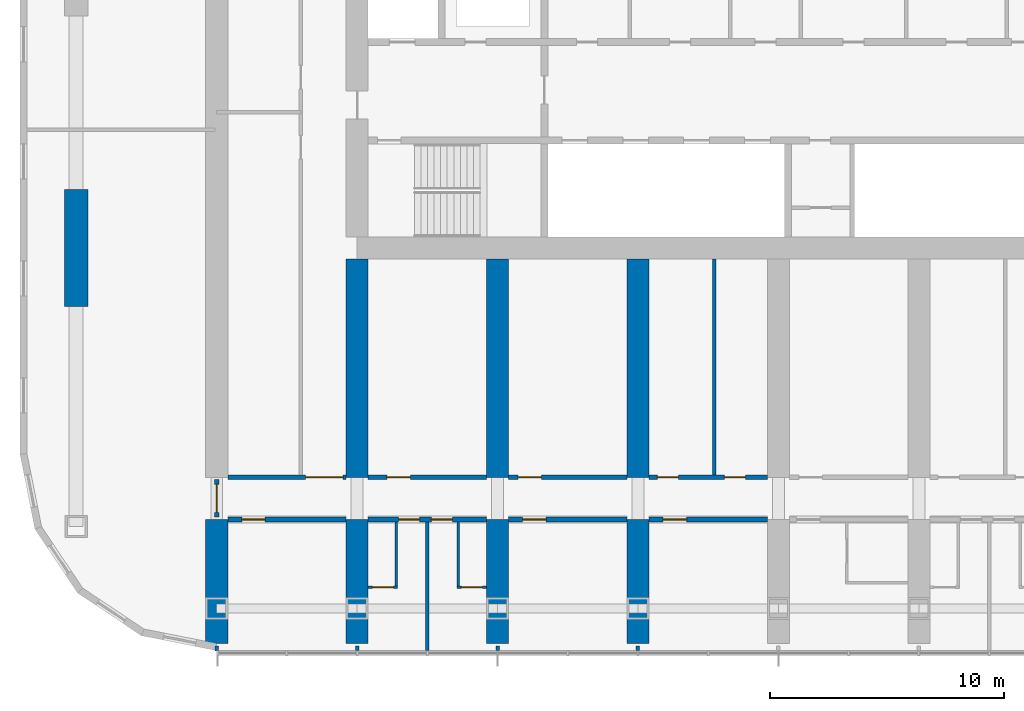
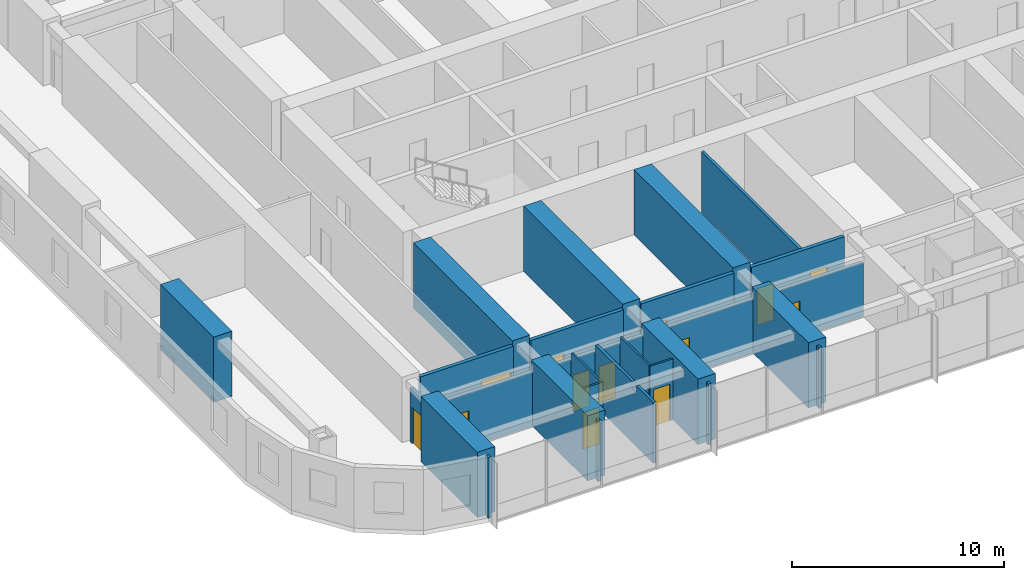
# One storey, part 8 of 21: 27 walls, 13 doors, 13 openings.
"""IFC4 building model written with IfcOpenShell, lengths in metres."""

from ifc_helpers import new_model, si_unit, direction, frame, frame_2d, origin, place, context, subcontext, project, spatial, polyline, rectangle, outline, extrude, material, layer, layer_set, type_object, element, fill, save


model = new_model("IFC4")

# Units and contexts
model_context = context("Model", 3, precision=1e-05, world=origin(), true_north=direction((0.0, 1.0)))
body_context = subcontext(model_context, "Body", "Model", "MODEL_VIEW")
ifc_project = project(units=[si_unit("LENGTHUNIT", "METRE"), si_unit("AREAUNIT", "SQUARE_METRE"), si_unit("VOLUMEUNIT", "CUBIC_METRE"), si_unit("PLANEANGLEUNIT", "RADIAN"), si_unit("MASSUNIT", "GRAM", prefix="KILO")], contexts=[model_context])

# Site, building, storey
site_placement = place(None, origin())
site = spatial("IfcSite", under=ifc_project, at=site_placement, CompositionType="ELEMENT")
building_placement = place(site_placement, origin())
building = spatial("IfcBuilding", under=site, at=building_placement, Name="Orbita Commons", CompositionType="ELEMENT")
storey_placement = place(building_placement, frame((0.0, 0.0, 106.89990234375)))
storey = spatial("IfcBuildingStorey", under=building, at=storey_placement, Name="L26", CompositionType="ELEMENT", Elevation=106.89990234375)

# Wall, opening, door
ifc_material_1 = material(Name="Concrete blockwork", Category="masonry")
ifc_layer_1 = layer(ifc_material_1, 0.199951171875)
ifc_layer_set_1 = layer_set([ifc_layer_1], Name="Concrete blockwork")
wall_type_1 = type_object("IfcWallType", Name="Corridor wall 200 blockwork", PredefinedType="SOLIDWALL", material=ifc_layer_set_1)
wall_1_placement = place(storey_placement, frame((12.47509765625, 14.199951171875, 0.0), z_axis=(0.0, 0.0, 1.0), x_axis=(1.0, 0.0, 0.0)))
wall_1 = element("IfcWall", 1, at=wall_1_placement, inside=storey, type_object=wall_type_1, Name="Corridor wall 200 blockwork L26", PredefinedType="SOLIDWALL", context=body_context, shape_type="SweptSolid", body=[
    extrude(outline(polyline([(0.0, 0.0), (5.0498046875, 0.0), (5.050048828125, 3.10009765625), (0.0, 3.10009765625), (0.0, 0.0)])), frame((0.0, 0.10009765625, 0.0), z_axis=(0.0, -1.0, 0.0), x_axis=(1.0, 0.0, 0.0)), (0.0, 0.0, 1.0), 0.199951171875),
])
opening_1_placement = place(wall_1_placement, frame((0.60009765625, 0.0, 0.0)))
opening_1 = element("IfcOpeningElement", 2, at=opening_1_placement, cuts=wall_1, Name="Opening D06", PredefinedType="OPENING", context=body_context, shape_type="SweptSolid", body=[
    extrude(rectangle(XDim=1.0, YDim=2.10009765625, at=frame_2d((0.5, 1.050048828125))), frame((0.0, 0.10986328125, 0.0), z_axis=(0.0, -1.0, 0.0), x_axis=(1.0, 0.0, 0.0)), (0.0, 0.0, 1.0), 0.219970703125),
])
ifc_material_2 = material(Name="Steel-faced fire door leaf", Category="steel")
door_type_1 = type_object("IfcDoorType", Name="Corridor door 20 min 1000x2100", OperationType="SINGLE_SWING_LEFT", PredefinedType="DOOR", material=ifc_material_2)
door_1_placement = place(opening_1_placement, origin())
door_1 = element("IfcDoor", 3, at=door_1_placement, inside=storey, type_object=door_type_1, Name="Mountain-view lounge L26-S00 door", OperationType="SINGLE_SWING_LEFT", OverallHeight=2.10009765625, OverallWidth=1.0, PredefinedType="DOOR", context=body_context, shape_type="SweptSolid", body=[
    extrude(rectangle(XDim=1.0, YDim=2.10009765625, at=frame_2d((0.5, 1.050048828125))), frame((0.0, 0.02490234375, 0.0), z_axis=(0.0, -1.0, 0.0), x_axis=(1.0, 0.0, 0.0)), (0.0, 0.0, 1.0), 0.050048828125),
])
fill(opening_1, door_1)

# Wall, openings, doors
wall_2_placement = place(storey_placement, frame((18.47509765625, 14.199951171875, 0.0), z_axis=(0.0, 0.0, 1.0), x_axis=(1.0, 0.0, 0.0)))
wall_2 = element("IfcWall", 4, at=wall_2_placement, inside=storey, type_object=wall_type_1, Name="Corridor wall 200 blockwork L26", PredefinedType="SOLIDWALL", context=body_context, shape_type="SweptSolid", body=[
    extrude(outline(polyline([(0.0, 0.0), (5.0498046875, 0.0), (5.050048828125, 3.10009765625), (0.0, 3.10009765625), (0.0, 0.0)])), frame((0.0, 0.10009765625, 0.0), z_axis=(0.0, -1.0, 0.0), x_axis=(1.0, 0.0, 0.0)), (0.0, 0.0, 1.0), 0.199951171875),
])
opening_2_placement = place(wall_2_placement, frame((1.300048828125, 0.0, 0.0)))
opening_2 = element("IfcOpeningElement", 5, at=opening_2_placement, cuts=wall_2, Name="Opening D11", PredefinedType="OPENING", context=body_context, shape_type="SweptSolid", body=[
    extrude(rectangle(XDim=0.89990234375, YDim=2.10009765625, at=frame_2d((0.449951171875, 1.050048828125))), frame((0.0, 0.10986328125, 0.0), z_axis=(0.0, -1.0, 0.0), x_axis=(1.0, 0.0, 0.0)), (0.0, 0.0, 1.0), 0.219970703125),
])
opening_3_placement = place(wall_2_placement, frame((2.699951171875, 0.0, 0.0)))
opening_3 = element("IfcOpeningElement", 6, at=opening_3_placement, cuts=wall_2, Name="Opening D11", PredefinedType="OPENING", context=body_context, shape_type="SweptSolid", body=[
    extrude(rectangle(XDim=0.89990234375, YDim=2.10009765625, at=frame_2d((0.449951171875, 1.050048828125))), frame((0.0, 0.10986328125, 0.0), z_axis=(0.0, -1.0, 0.0), x_axis=(1.0, 0.0, 0.0)), (0.0, 0.0, 1.0), 0.219970703125),
])
ifc_material_3 = material(Name="Steel-faced fire door leaf", Category="steel")
door_type_2 = type_object("IfcDoorType", Name="Corridor door 20 min 900x2100", OperationType="SINGLE_SWING_LEFT", PredefinedType="DOOR", material=ifc_material_3)
door_2_placement = place(opening_2_placement, origin())
door_2 = element("IfcDoor", 7, at=door_2_placement, inside=storey, type_object=door_type_2, Name="Cluster bedroom L26-S02 door", OperationType="SINGLE_SWING_LEFT", OverallHeight=2.10009765625, OverallWidth=0.89990234375, PredefinedType="DOOR", context=body_context, shape_type="SweptSolid", body=[
    extrude(rectangle(XDim=0.89990234375, YDim=2.10009765625, at=frame_2d((0.449951171875, 1.050048828125))), frame((0.0, 0.02490234375, 0.0), z_axis=(0.0, -1.0, 0.0), x_axis=(1.0, 0.0, 0.0)), (0.0, 0.0, 1.0), 0.050048828125),
])
fill(opening_2, door_2)
door_3_placement = place(opening_3_placement, origin())
door_3 = element("IfcDoor", 8, at=door_3_placement, inside=storey, type_object=door_type_2, Name="Cluster bedroom L26-S03 door", OperationType="SINGLE_SWING_LEFT", OverallHeight=2.10009765625, OverallWidth=0.89990234375, PredefinedType="DOOR", context=body_context, shape_type="SweptSolid", body=[
    extrude(rectangle(XDim=0.89990234375, YDim=2.10009765625, at=frame_2d((0.449951171875, 1.050048828125))), frame((0.0, 0.02490234375, 0.0), z_axis=(0.0, -1.0, 0.0), x_axis=(1.0, 0.0, 0.0)), (0.0, 0.0, 1.0), 0.050048828125),
])
fill(opening_3, door_3)

# Wall, opening, door
wall_3_placement = place(storey_placement, frame((24.47509765625, 14.199951171875, 0.0), z_axis=(0.0, 0.0, 1.0), x_axis=(1.0, 0.0, 0.0)))
wall_3 = element("IfcWall", 9, at=wall_3_placement, inside=storey, type_object=wall_type_1, Name="Corridor wall 200 blockwork L26", PredefinedType="SOLIDWALL", context=body_context, shape_type="SweptSolid", body=[
    extrude(outline(polyline([(0.0, 0.0), (5.0498046875, 0.0), (5.050048828125, 3.10009765625), (0.0, 3.10009765625), (0.0, 0.0)])), frame((0.0, 0.10009765625, 0.0), z_axis=(0.0, -1.0, 0.0), x_axis=(1.0, 0.0, 0.0)), (0.0, 0.0, 1.0), 0.199951171875),
])
opening_4_placement = place(wall_3_placement, frame((0.60009765625, 0.0, 0.0)))
opening_4 = element("IfcOpeningElement", 10, at=opening_4_placement, cuts=wall_3, Name="Opening D06", PredefinedType="OPENING", context=body_context, shape_type="SweptSolid", body=[
    extrude(rectangle(XDim=1.0, YDim=2.10009765625, at=frame_2d((0.5, 1.050048828125))), frame((0.0, 0.10986328125, 0.0), z_axis=(0.0, -1.0, 0.0), x_axis=(1.0, 0.0, 0.0)), (0.0, 0.0, 1.0), 0.219970703125),
])
door_4_placement = place(opening_4_placement, origin())
door_4 = element("IfcDoor", 11, at=door_4_placement, inside=storey, type_object=door_type_1, Name="Mountain-view lounge L26-S04 door", OperationType="SINGLE_SWING_LEFT", OverallHeight=2.10009765625, OverallWidth=1.0, PredefinedType="DOOR", context=body_context, shape_type="SweptSolid", body=[
    extrude(rectangle(XDim=1.0, YDim=2.10009765625, at=frame_2d((0.5, 1.050048828125))), frame((0.0, 0.02490234375, 0.0), z_axis=(0.0, -1.0, 0.0), x_axis=(1.0, 0.0, 0.0)), (0.0, 0.0, 1.0), 0.050048828125),
])
fill(opening_4, door_4)

wall_4_placement = place(storey_placement, frame((30.47509765625, 14.199951171875, 0.0), z_axis=(0.0, 0.0, 1.0), x_axis=(1.0, 0.0, 0.0)))
wall_4 = element("IfcWall", 12, at=wall_4_placement, inside=storey, type_object=wall_type_1, Name="Corridor wall 200 blockwork L26", PredefinedType="SOLIDWALL", context=body_context, shape_type="SweptSolid", body=[
    extrude(outline(polyline([(0.0, 0.0), (5.0498046875, 0.0), (5.050048828125, 3.10009765625), (0.0, 3.10009765625), (0.0, 0.0)])), frame((0.0, 0.10009765625, 0.0), z_axis=(0.0, -1.0, 0.0), x_axis=(1.0, 0.0, 0.0)), (0.0, 0.0, 1.0), 0.199951171875),
])
opening_5_placement = place(wall_4_placement, frame((0.60009765625, 0.0, 0.0)))
opening_5 = element("IfcOpeningElement", 13, at=opening_5_placement, cuts=wall_4, Name="Opening D06", PredefinedType="OPENING", context=body_context, shape_type="SweptSolid", body=[
    extrude(rectangle(XDim=1.0, YDim=2.10009765625, at=frame_2d((0.5, 1.050048828125))), frame((0.0, 0.10986328125, 0.0), z_axis=(0.0, -1.0, 0.0), x_axis=(1.0, 0.0, 0.0)), (0.0, 0.0, 1.0), 0.219970703125),
])
door_5_placement = place(opening_5_placement, origin())
door_5 = element("IfcDoor", 14, at=door_5_placement, inside=storey, type_object=door_type_1, Name="Mountain-view lounge L26-S06 door", OperationType="SINGLE_SWING_LEFT", OverallHeight=2.10009765625, OverallWidth=1.0, PredefinedType="DOOR", context=body_context, shape_type="SweptSolid", body=[
    extrude(rectangle(XDim=1.0, YDim=2.10009765625, at=frame_2d((0.5, 1.050048828125))), frame((0.0, 0.02490234375, 0.0), z_axis=(0.0, -1.0, 0.0), x_axis=(1.0, 0.0, 0.0)), (0.0, 0.0, 1.0), 0.050048828125),
])
fill(opening_5, door_5)

wall_5_placement = place(storey_placement, frame((12.0, 14.300048828125, 0.0), z_axis=(0.0, 0.0, 1.0), x_axis=(0.0, 1.0, 0.0)))
wall_5 = element("IfcWall", 15, at=wall_5_placement, inside=storey, type_object=wall_type_1, Name="Corridor wall 200 blockwork L26", PredefinedType="SOLIDWALL", context=body_context, shape_type="SweptSolid", body=[
    extrude(outline(polyline([(0.0, 0.0), (1.599853515625, 0.0), (1.60009765625, 3.10009765625), (0.0, 3.10009765625), (0.0, 0.0)])), frame((0.0, 0.10009765625, 0.0), z_axis=(0.0, -1.0, 0.0), x_axis=(1.0, 0.0, 0.0)), (0.0, 0.0, 1.0), 0.199951171875),
])
opening_6_placement = place(wall_5_placement, frame((0.199951171875, 0.0, 0.0)))
opening_6 = element("IfcOpeningElement", 16, at=opening_6_placement, cuts=wall_5, Name="Opening D12", PredefinedType="OPENING", context=body_context, shape_type="SweptSolid", body=[
    extrude(rectangle(XDim=1.199951171875, YDim=2.10009765625, at=frame_2d((0.60009765625, 1.050048828125))), frame((0.0, 0.10986328125, 0.0), z_axis=(0.0, -1.0, 0.0), x_axis=(1.0, 0.0, 0.0)), (0.0, 0.0, 1.0), 0.219970703125),
])
ifc_material_4 = material(Name="Steel-faced fire door leaf", Category="steel")
door_type_3 = type_object("IfcDoorType", Name="Double corridor door 20 min 1200x2100", OperationType="DOUBLE_DOOR_SINGLE_SWING", PredefinedType="DOOR", material=ifc_material_4)
door_6_placement = place(opening_6_placement, origin())
door_6 = element("IfcDoor", 17, at=door_6_placement, inside=storey, type_object=door_type_3, Name="Lounge doors", OperationType="DOUBLE_DOOR_SINGLE_SWING", OverallHeight=2.10009765625, OverallWidth=1.199951171875, PredefinedType="DOOR", context=body_context, shape_type="SweptSolid", body=[
    extrude(rectangle(XDim=1.199951171875, YDim=2.10009765625, at=frame_2d((0.60009765625, 1.050048828125))), frame((0.0, 0.02490234375, 0.0), z_axis=(0.0, -1.0, 0.0), x_axis=(1.0, 0.0, 0.0)), (0.0, 0.0, 1.0), 0.050048828125),
])
fill(opening_6, door_6)

ifc_material_5 = material(Name="Hollow concrete block 200", Category="concrete")
ifc_layer_2 = layer(ifc_material_5, 0.199951171875)
ifc_layer_set_2 = layer_set([ifc_layer_2], Name="Hollow concrete block 200")
wall_type_2 = type_object("IfcWallType", Name="Corridor wall 200 hollow concrete block", PredefinedType="SOLIDWALL", material=ifc_layer_set_2)
wall_6_placement = place(storey_placement, frame((12.47509765625, 16.0, 0.0), z_axis=(0.0, 0.0, 1.0), x_axis=(1.0, 0.0, 0.0)))
wall_6 = element("IfcWall", 18, at=wall_6_placement, inside=storey, type_object=wall_type_2, Name="Corridor wall 200 hollow concrete block L26", PredefinedType="SOLIDWALL", context=body_context, shape_type="SweptSolid", body=[
    extrude(rectangle(XDim=5.0498046875, YDim=0.199951171875, at=frame_2d((2.52490234375, 0.0))), origin(), (0.0, 0.0, 1.0), 3.5),
])
opening_7_placement = place(wall_6_placement, frame((3.324951171875, 0.0, 0.0)))
opening_7 = element("IfcOpeningElement", 19, at=opening_7_placement, cuts=wall_6, Name="Opening D10", PredefinedType="OPENING", context=body_context, shape_type="SweptSolid", body=[
    extrude(rectangle(XDim=1.60009765625, YDim=2.10009765625, at=frame_2d((0.800048828125, 1.050048828125))), frame((0.0, 0.10986328125, 0.0), z_axis=(0.0, -1.0, 0.0), x_axis=(1.0, 0.0, 0.0)), (0.0, 0.0, 1.0), 0.219970703125),
])
ifc_material_6 = material(Name="Steel-faced fire door leaf", Category="steel")
door_type_4 = type_object("IfcDoorType", Name="Double corridor door 20 min 1600x2100", OperationType="DOUBLE_DOOR_SINGLE_SWING", PredefinedType="DOOR", material=ifc_material_6)
door_7_placement = place(opening_7_placement, origin())
door_7 = element("IfcDoor", 20, at=door_7_placement, inside=storey, type_object=door_type_4, Name="Cross corridor doors", OperationType="DOUBLE_DOOR_SINGLE_SWING", OverallHeight=2.10009765625, OverallWidth=1.60009765625, PredefinedType="DOOR", context=body_context, shape_type="SweptSolid", body=[
    extrude(rectangle(XDim=1.60009765625, YDim=2.10009765625, at=frame_2d((0.800048828125, 1.050048828125))), frame((0.0, 0.02490234375, 0.0), z_axis=(0.0, -1.0, 0.0), x_axis=(1.0, 0.0, 0.0)), (0.0, 0.0, 1.0), 0.050048828125),
])
fill(opening_7, door_7)

wall_7_placement = place(storey_placement, frame((18.47509765625, 16.0, 0.0), z_axis=(0.0, 0.0, 1.0), x_axis=(1.0, 0.0, 0.0)))
wall_7 = element("IfcWall", 21, at=wall_7_placement, inside=storey, type_object=wall_type_2, Name="Corridor wall 200 hollow concrete block L26", PredefinedType="SOLIDWALL", context=body_context, shape_type="SweptSolid", body=[
    extrude(rectangle(XDim=5.0498046875, YDim=0.199951171875, at=frame_2d((2.52490234375, 0.0))), origin(), (0.0, 0.0, 1.0), 3.5),
])
opening_8_placement = place(wall_7_placement, frame((0.800048828125, 0.0, 0.0)))
opening_8 = element("IfcOpeningElement", 22, at=opening_8_placement, cuts=wall_7, Name="Opening D06", PredefinedType="OPENING", context=body_context, shape_type="SweptSolid", body=[
    extrude(rectangle(XDim=1.0, YDim=2.10009765625, at=frame_2d((0.5, 1.050048828125))), frame((0.0, 0.10986328125, 0.0), z_axis=(0.0, -1.0, 0.0), x_axis=(1.0, 0.0, 0.0)), (0.0, 0.0, 1.0), 0.219970703125),
])
door_8_placement = place(opening_8_placement, origin())
door_8 = element("IfcDoor", 23, at=door_8_placement, inside=storey, type_object=door_type_1, Name="Refuse and recycling room L26-BDS18 door", OperationType="SINGLE_SWING_LEFT", OverallHeight=2.10009765625, OverallWidth=1.0, PredefinedType="DOOR", context=body_context, shape_type="SweptSolid", body=[
    extrude(rectangle(XDim=1.0, YDim=2.10009765625, at=frame_2d((0.5, 1.050048828125))), frame((0.0, 0.02490234375, 0.0), z_axis=(0.0, -1.0, 0.0), x_axis=(1.0, 0.0, 0.0)), (0.0, 0.0, 1.0), 0.050048828125),
])
fill(opening_8, door_8)

wall_8_placement = place(storey_placement, frame((24.47509765625, 16.0, 0.0), z_axis=(0.0, 0.0, 1.0), x_axis=(1.0, 0.0, 0.0)))
wall_8 = element("IfcWall", 24, at=wall_8_placement, inside=storey, type_object=wall_type_2, Name="Corridor wall 200 hollow concrete block L26", PredefinedType="SOLIDWALL", context=body_context, shape_type="SweptSolid", body=[
    extrude(rectangle(XDim=5.0498046875, YDim=0.199951171875, at=frame_2d((2.52490234375, 0.0))), origin(), (0.0, 0.0, 1.0), 3.5),
])
opening_9_placement = place(wall_8_placement, frame((0.39990234375, 0.0, 0.0)))
opening_9 = element("IfcOpeningElement", 25, at=opening_9_placement, cuts=wall_8, Name="Opening D06", PredefinedType="OPENING", context=body_context, shape_type="SweptSolid", body=[
    extrude(rectangle(XDim=1.0, YDim=2.10009765625, at=frame_2d((0.5, 1.050048828125))), frame((0.0, 0.10986328125, 0.0), z_axis=(0.0, -1.0, 0.0), x_axis=(1.0, 0.0, 0.0)), (0.0, 0.0, 1.0), 0.219970703125),
])
door_9_placement = place(opening_9_placement, origin())
door_9 = element("IfcDoor", 26, at=door_9_placement, inside=storey, type_object=door_type_1, Name="Drying room L26-BDS24 door", OperationType="SINGLE_SWING_LEFT", OverallHeight=2.10009765625, OverallWidth=1.0, PredefinedType="DOOR", context=body_context, shape_type="SweptSolid", body=[
    extrude(rectangle(XDim=1.0, YDim=2.10009765625, at=frame_2d((0.5, 1.050048828125))), frame((0.0, 0.02490234375, 0.0), z_axis=(0.0, -1.0, 0.0), x_axis=(1.0, 0.0, 0.0)), (0.0, 0.0, 1.0), 0.050048828125),
])
fill(opening_9, door_9)

# Wall, openings, doors
wall_9_placement = place(storey_placement, frame((30.47509765625, 16.0, 0.0), z_axis=(0.0, 0.0, 1.0), x_axis=(1.0, 0.0, 0.0)))
wall_9 = element("IfcWall", 27, at=wall_9_placement, inside=storey, type_object=wall_type_2, Name="Corridor wall 200 hollow concrete block L26", PredefinedType="SOLIDWALL", context=body_context, shape_type="SweptSolid", body=[
    extrude(rectangle(XDim=5.0498046875, YDim=0.199951171875, at=frame_2d((2.52490234375, 0.0))), origin(), (0.0, 0.0, 1.0), 3.5),
])
opening_10_placement = place(wall_9_placement, frame((0.35009765625, 0.0, 0.0)))
opening_10 = element("IfcOpeningElement", 28, at=opening_10_placement, cuts=wall_9, Name="Opening D11", PredefinedType="OPENING", context=body_context, shape_type="SweptSolid", body=[
    extrude(rectangle(XDim=0.89990234375, YDim=2.10009765625, at=frame_2d((0.449951171875, 1.050048828125))), frame((0.0, 0.10986328125, 0.0), z_axis=(0.0, -1.0, 0.0), x_axis=(1.0, 0.0, 0.0)), (0.0, 0.0, 1.0), 0.219970703125),
])
opening_11_placement = place(wall_9_placement, frame((3.215087890625, 0.0, 0.0)))
opening_11 = element("IfcOpeningElement", 29, at=opening_11_placement, cuts=wall_9, Name="Opening D11", PredefinedType="OPENING", context=body_context, shape_type="SweptSolid", body=[
    extrude(rectangle(XDim=0.89990234375, YDim=2.10009765625, at=frame_2d((0.449951171875, 1.050048828125))), frame((0.0, 0.10986328125, 0.0), z_axis=(0.0, -1.0, 0.0), x_axis=(1.0, 0.0, 0.0)), (0.0, 0.0, 1.0), 0.219970703125),
])
door_10_placement = place(opening_10_placement, origin())
door_10 = element("IfcDoor", 30, at=door_10_placement, inside=storey, type_object=door_type_2, Name="Quiet room L26-BDS30 door", OperationType="SINGLE_SWING_LEFT", OverallHeight=2.10009765625, OverallWidth=0.89990234375, PredefinedType="DOOR", context=body_context, shape_type="SweptSolid", body=[
    extrude(rectangle(XDim=0.89990234375, YDim=2.10009765625, at=frame_2d((0.449951171875, 1.050048828125))), frame((0.0, 0.02490234375, 0.0), z_axis=(0.0, -1.0, 0.0), x_axis=(1.0, 0.0, 0.0)), (0.0, 0.0, 1.0), 0.050048828125),
])
fill(opening_10, door_10)
door_11_placement = place(opening_11_placement, origin())
door_11 = element("IfcDoor", 31, at=door_11_placement, inside=storey, type_object=door_type_2, Name="Accessible WC and shower room L26-BDS30n door", OperationType="SINGLE_SWING_LEFT", OverallHeight=2.10009765625, OverallWidth=0.89990234375, PredefinedType="DOOR", context=body_context, shape_type="SweptSolid", body=[
    extrude(rectangle(XDim=0.89990234375, YDim=2.10009765625, at=frame_2d((0.449951171875, 1.050048828125))), frame((0.0, 0.02490234375, 0.0), z_axis=(0.0, -1.0, 0.0), x_axis=(1.0, 0.0, 0.0)), (0.0, 0.0, 1.0), 0.050048828125),
])
fill(opening_11, door_11)

# Walls
ifc_material_7 = material(Name="Concrete C50/60", Category="concrete")
ifc_layer_3 = layer(ifc_material_7, 0.949951171875)
ifc_layer_set_3 = layer_set([ifc_layer_3], Name="Concrete C50/60")
wall_type_3 = type_object("IfcWallType", Name="Cross wall 950 C50/60", PredefinedType="SHEAR", material=ifc_layer_set_3)
for number, where, z_axis, x_axis, name in (
    (32, (12.0, 8.89990234375, 0.0), (0.0, 0.0, 1.0), (0.0, 1.0, 0.0), "Cross wall 3 south outer L26"),
    (33, (18.0, 8.89990234375, 0.0), (0.0, 0.0, 1.0), (0.0, 1.0, 0.0), "Cross wall 4 south outer L26"),
):
    element("IfcWall", number, at=place(storey_placement, frame(where, z_axis=z_axis, x_axis=x_axis)), inside=storey, type_object=wall_type_3, Name=name, PredefinedType="SHEAR", context=body_context, shape_type="SweptSolid", body=[
        extrude(rectangle(XDim=5.300048828125, YDim=0.949951171875, at=frame_2d((2.64990234375, 0.0))), origin(), (0.0, 0.0, 1.0), 3.75),
    ])
wall_10_placement = place(storey_placement, frame((18.0, 16.0, 0.0), z_axis=(0.0, 0.0, 1.0), x_axis=(0.0, 1.0, 0.0)))
element("IfcWall", 34, at=wall_10_placement, inside=storey, type_object=wall_type_3, Name="Cross wall 4 south inner L26", PredefinedType="SHEAR", context=body_context, shape_type="SweptSolid", body=[
    extrude(rectangle(XDim=9.324951171875, YDim=0.949951171875, at=frame_2d((4.66259765625, 0.0))), origin(), (0.0, 0.0, 1.0), 3.75),
])
wall_11_placement = place(storey_placement, frame((24.0, 8.89990234375, 0.0), z_axis=(0.0, 0.0, 1.0), x_axis=(0.0, 1.0, 0.0)))
element("IfcWall", 35, at=wall_11_placement, inside=storey, type_object=wall_type_3, Name="Cross wall 5 south outer L26", PredefinedType="SHEAR", context=body_context, shape_type="SweptSolid", body=[
    extrude(rectangle(XDim=5.300048828125, YDim=0.949951171875, at=frame_2d((2.64990234375, 0.0))), origin(), (0.0, 0.0, 1.0), 3.75),
])
wall_12_placement = place(storey_placement, frame((24.0, 16.0, 0.0), z_axis=(0.0, 0.0, 1.0), x_axis=(0.0, 1.0, 0.0)))
element("IfcWall", 36, at=wall_12_placement, inside=storey, type_object=wall_type_3, Name="Cross wall 5 south inner L26", PredefinedType="SHEAR", context=body_context, shape_type="SweptSolid", body=[
    extrude(rectangle(XDim=9.324951171875, YDim=0.949951171875, at=frame_2d((4.66259765625, 0.0))), origin(), (0.0, 0.0, 1.0), 3.75),
])
wall_13_placement = place(storey_placement, frame((30.0, 8.89990234375, 0.0), z_axis=(0.0, 0.0, 1.0), x_axis=(0.0, 1.0, 0.0)))
element("IfcWall", 37, at=wall_13_placement, inside=storey, type_object=wall_type_3, Name="Cross wall 6 south outer L26", PredefinedType="SHEAR", context=body_context, shape_type="SweptSolid", body=[
    extrude(rectangle(XDim=5.300048828125, YDim=0.949951171875, at=frame_2d((2.64990234375, 0.0))), origin(), (0.0, 0.0, 1.0), 3.75),
])
wall_14_placement = place(storey_placement, frame((30.0, 16.0, 0.0), z_axis=(0.0, 0.0, 1.0), x_axis=(0.0, 1.0, 0.0)))
element("IfcWall", 38, at=wall_14_placement, inside=storey, type_object=wall_type_3, Name="Cross wall 6 south inner L26", PredefinedType="SHEAR", context=body_context, shape_type="SweptSolid", body=[
    extrude(rectangle(XDim=9.324951171875, YDim=0.949951171875, at=frame_2d((4.66259765625, 0.0))), origin(), (0.0, 0.0, 1.0), 3.75),
])

# Wall, opening, door
ifc_material_8 = material(Name="Moisture-resistant plasterboard on steel studs", Category="steel")
ifc_layer_4 = layer(ifc_material_8, 0.10009765625)
ifc_layer_set_4 = layer_set([ifc_layer_4], Name="Moisture-resistant plasterboard on steel studs")
wall_type_4 = type_object("IfcWallType", Name="En-suite partition 100", PredefinedType="PARTITIONING", material=ifc_layer_set_4)
wall_15_placement = place(storey_placement, frame((19.72509765625, 11.300048828125, 0.0), z_axis=(0.0, 0.0, 1.0), x_axis=(-1.0, 0.0, 0.0)))
wall_15 = element("IfcWall", 39, at=wall_15_placement, inside=storey, type_object=wall_type_4, Name="En-suite partition 100 L26", PredefinedType="PARTITIONING", context=body_context, shape_type="SweptSolid", body=[
    extrude(rectangle(XDim=1.25, YDim=0.10009765625, at=frame_2d((0.625, 0.0))), origin(), (0.0, 0.0, 1.0), 3.5),
])
opening_12_placement = place(wall_15_placement, frame((0.175048828125, 0.0, 0.0)))
opening_12 = element("IfcOpeningElement", 40, at=opening_12_placement, cuts=wall_15, Name="Opening D09", PredefinedType="OPENING", context=body_context, shape_type="SweptSolid", body=[
    extrude(rectangle(XDim=0.89990234375, YDim=2.10009765625, at=frame_2d((0.449951171875, 1.050048828125))), frame((0.0, 0.06005859375, 0.0), z_axis=(0.0, -1.0, 0.0), x_axis=(1.0, 0.0, 0.0)), (0.0, 0.0, 1.0), 0.1201171875),
])
ifc_material_9 = material(Name="Laminated timber door leaf", Category="wood")
door_type_5 = type_object("IfcDoorType", Name="En-suite door 900x2100", OperationType="SINGLE_SWING_RIGHT", PredefinedType="DOOR", material=ifc_material_9)
door_12_placement = place(opening_12_placement, origin())
door_12 = element("IfcDoor", 41, at=door_12_placement, inside=storey, type_object=door_type_5, Name="En-suite L26-S02 door", OperationType="SINGLE_SWING_RIGHT", OverallHeight=2.10009765625, OverallWidth=0.89990234375, PredefinedType="DOOR", context=body_context, shape_type="SweptSolid", body=[
    extrude(rectangle(XDim=0.89990234375, YDim=2.10009765625, at=frame_2d((0.449951171875, 1.050048828125))), frame((0.0, 0.02490234375, 0.0), z_axis=(0.0, -1.0, 0.0), x_axis=(1.0, 0.0, 0.0)), (0.0, 0.0, 1.0), 0.050048828125),
])
fill(opening_12, door_12)

# Wall
wall_16_placement = place(storey_placement, frame((19.675048828125, 11.35009765625, 0.0), z_axis=(0.0, 0.0, 1.0), x_axis=(0.0, 1.0, 0.0)))
element("IfcWall", 42, at=wall_16_placement, inside=storey, type_object=wall_type_4, Name="En-suite partition 100 L26", PredefinedType="PARTITIONING", context=body_context, shape_type="SweptSolid", body=[
    extrude(outline(polyline([(0.0, 0.0), (2.75, 0.0), (2.75, 3.10009765625), (2.701904296875, 3.10009765625), (2.699951171875, 3.5), (0.0, 3.5), (0.0, 0.0)])), frame((0.0, 0.050048828125, 0.0), z_axis=(0.0, -1.0, 0.0), x_axis=(1.0, 0.0, 0.0)), (0.0, 0.0, 1.0), 0.10009765625),
])

# Wall, opening, door
wall_17_placement = place(storey_placement, frame((23.52490234375, 11.300048828125, 0.0), z_axis=(0.0, 0.0, 1.0), x_axis=(-1.0, 0.0, 0.0)))
wall_17 = element("IfcWall", 43, at=wall_17_placement, inside=storey, type_object=wall_type_4, Name="En-suite partition 100 L26", PredefinedType="PARTITIONING", context=body_context, shape_type="SweptSolid", body=[
    extrude(rectangle(XDim=1.25, YDim=0.10009765625, at=frame_2d((0.625, 0.0))), origin(), (0.0, 0.0, 1.0), 3.5),
])
opening_13_placement = place(wall_17_placement, frame((0.175048828125, 0.0, 0.0)))
opening_13 = element("IfcOpeningElement", 44, at=opening_13_placement, cuts=wall_17, Name="Opening D09", PredefinedType="OPENING", context=body_context, shape_type="SweptSolid", body=[
    extrude(rectangle(XDim=0.89990234375, YDim=2.10009765625, at=frame_2d((0.449951171875, 1.050048828125))), frame((0.0, 0.06005859375, 0.0), z_axis=(0.0, -1.0, 0.0), x_axis=(1.0, 0.0, 0.0)), (0.0, 0.0, 1.0), 0.1201171875),
])
door_13_placement = place(opening_13_placement, origin())
door_13 = element("IfcDoor", 45, at=door_13_placement, inside=storey, type_object=door_type_5, Name="En-suite L26-S03 door", OperationType="SINGLE_SWING_RIGHT", OverallHeight=2.10009765625, OverallWidth=0.89990234375, PredefinedType="DOOR", context=body_context, shape_type="SweptSolid", body=[
    extrude(rectangle(XDim=0.89990234375, YDim=2.10009765625, at=frame_2d((0.449951171875, 1.050048828125))), frame((0.0, 0.02490234375, 0.0), z_axis=(0.0, -1.0, 0.0), x_axis=(1.0, 0.0, 0.0)), (0.0, 0.0, 1.0), 0.050048828125),
])
fill(opening_13, door_13)

# Walls
wall_18_placement = place(storey_placement, frame((22.324951171875, 11.35009765625, 0.0), z_axis=(0.0, 0.0, 1.0), x_axis=(0.0, 1.0, 0.0)))
element("IfcWall", 46, at=wall_18_placement, inside=storey, type_object=wall_type_4, Name="En-suite partition 100 L26", PredefinedType="PARTITIONING", context=body_context, shape_type="SweptSolid", body=[
    extrude(outline(polyline([(0.0, 0.0), (2.75, 0.0), (2.75, 3.10009765625), (2.701904296875, 3.10009765625), (2.699951171875, 3.5), (0.0, 3.5), (0.0, 0.0)])), frame((0.0, 0.050048828125, 0.0), z_axis=(0.0, -1.0, 0.0), x_axis=(1.0, 0.0, 0.0)), (0.0, 0.0, 1.0), 0.10009765625),
])
ifc_material_10 = material(Name="Concrete C50/60", Category="concrete")
ifc_layer_5 = layer(ifc_material_10, 1.0)
ifc_layer_set_5 = layer_set([ifc_layer_5], Name="Concrete C50/60")
wall_type_5 = type_object("IfcWallType", Name="End pier 1000x5000 C50/60", PredefinedType="SHEAR", material=ifc_layer_set_5)
wall_19_placement = place(storey_placement, frame((6.0, 23.300048828125, 0.0), z_axis=(0.0, 0.0, 1.0), x_axis=(0.0, 1.0, 0.0)))
element("IfcWall", 47, at=wall_19_placement, inside=storey, type_object=wall_type_5, Name="End pier 2/C L26", PredefinedType="SHEAR", context=body_context, shape_type="SweptSolid", body=[
    extrude(rectangle(XDim=5.0, YDim=1.0, at=frame_2d((2.5, 0.0))), origin(), (0.0, 0.0, 1.0), 3.75),
])
ifc_material_11 = material(Name="Gypsum plasterboard on steel studs", Category="steel")
ifc_layer_6 = layer(ifc_material_11, 0.14990234375)
ifc_layer_set_6 = layer_set([ifc_layer_6], Name="Gypsum plasterboard on steel studs")
wall_type_6 = type_object("IfcWallType", Name="Partition 150 plasterboard", PredefinedType="PARTITIONING", material=ifc_layer_set_6)
wall_20_placement = place(storey_placement, frame((33.264892578125, 16.10009765625, 0.0), z_axis=(0.0, 0.0, 1.0), x_axis=(0.0, 1.0, 0.0)))
element("IfcWall", 48, at=wall_20_placement, inside=storey, type_object=wall_type_6, Name="Partition 150 plasterboard L26", PredefinedType="PARTITIONING", context=body_context, shape_type="SweptSolid", body=[
    extrude(rectangle(XDim=9.224853515625, YDim=0.14990234375, at=frame_2d((4.6123046875, 0.0))), origin(), (0.0, 0.0, 1.0), 3.5),
])
wall_21_placement = place(storey_placement, frame((12.0, 8.800048828125, 0.0), z_axis=(0.0, 0.0, 1.0), x_axis=(0.0, -1.0, 0.0)))
element("IfcWall", 49, at=wall_21_placement, inside=storey, type_object=wall_type_6, Name="Partition 150 plasterboard L26", PredefinedType="PARTITIONING", context=body_context, shape_type="SweptSolid", body=[
    extrude(rectangle(XDim=0.219970703125, YDim=0.14990234375, at=frame_2d((0.10986328125, 0.0))), origin(), (0.0, 0.0, 1.0), 3.5),
])
for number, where, z_axis, x_axis, name in (
    (50, (18.0, 8.800048828125, 0.0), (0.0, 0.0, 1.0), (0.0, -1.0, 0.0), "Partition 150 plasterboard L26"),
    (51, (24.0, 8.800048828125, 0.0), (0.0, 0.0, 1.0), (0.0, -1.0, 0.0), "Partition 150 plasterboard L26"),
    (52, (30.0, 8.800048828125, 0.0), (0.0, 0.0, 1.0), (0.0, -1.0, 0.0), "Partition 150 plasterboard L26"),
):
    element("IfcWall", number, at=place(storey_placement, frame(where, z_axis=z_axis, x_axis=x_axis)), inside=storey, type_object=wall_type_6, Name=name, PredefinedType="PARTITIONING", context=body_context, shape_type="SweptSolid", body=[
        extrude(rectangle(XDim=0.18994140625, YDim=0.14990234375, at=frame_2d((0.094970703125, 0.0))), origin(), (0.0, 0.0, 1.0), 3.5),
    ])
ifc_material_12 = material(Name="Gypsum plasterboard on steel studs", Category="steel")
ifc_layer_7 = layer(ifc_material_12, 0.14990234375)
ifc_layer_set_7 = layer_set([ifc_layer_7], Name="Gypsum plasterboard on steel studs")
wall_type_7 = type_object("IfcWallType", Name="Party wall 150 plasterboard", PredefinedType="PARTITIONING", material=ifc_layer_set_7)
wall_22_placement = place(storey_placement, frame((21.0, 8.610107421875, 0.0), z_axis=(0.0, 0.0, 1.0), x_axis=(0.0, 1.0, 0.0)))
element("IfcWall", 53, at=wall_22_placement, inside=storey, type_object=wall_type_7, Name="Party wall 150 plasterboard L26", PredefinedType="PARTITIONING", context=body_context, shape_type="SweptSolid", body=[
    extrude(outline(polyline([(0.0, 0.0), (5.489990234375, 0.0), (5.489990234375, 3.10009765625), (5.44189453125, 3.10009765625), (5.43994140625, 3.5), (1.991943359375, 3.5), (1.989990234375, 3.10009765625), (1.592041015625, 3.10009765625), (1.590087890625, 3.5), (0.0, 3.5), (0.0, 0.0)])), frame((0.0, 0.074951171875, 0.0), z_axis=(0.0, -1.0, 0.0), x_axis=(1.0, 0.0, 0.0)), (0.0, 0.0, 1.0), 0.14990234375),
])

save(model, "model.ifc")
